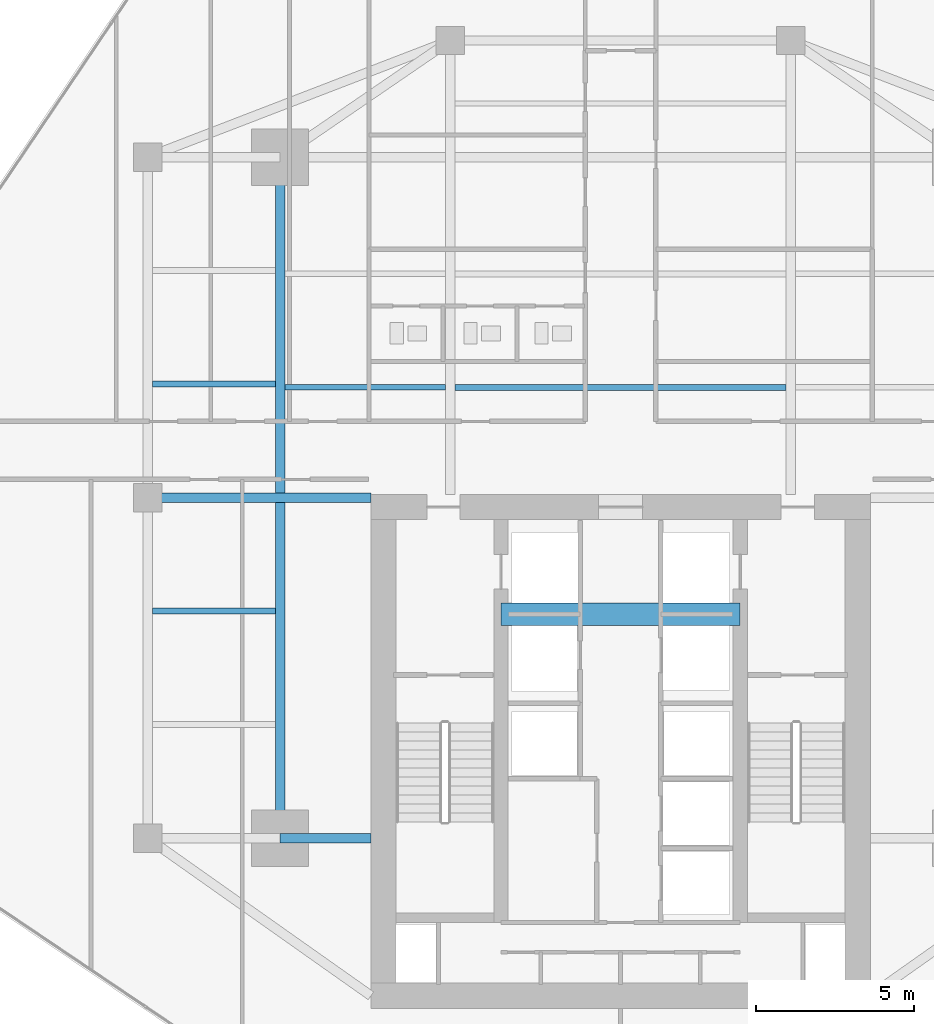
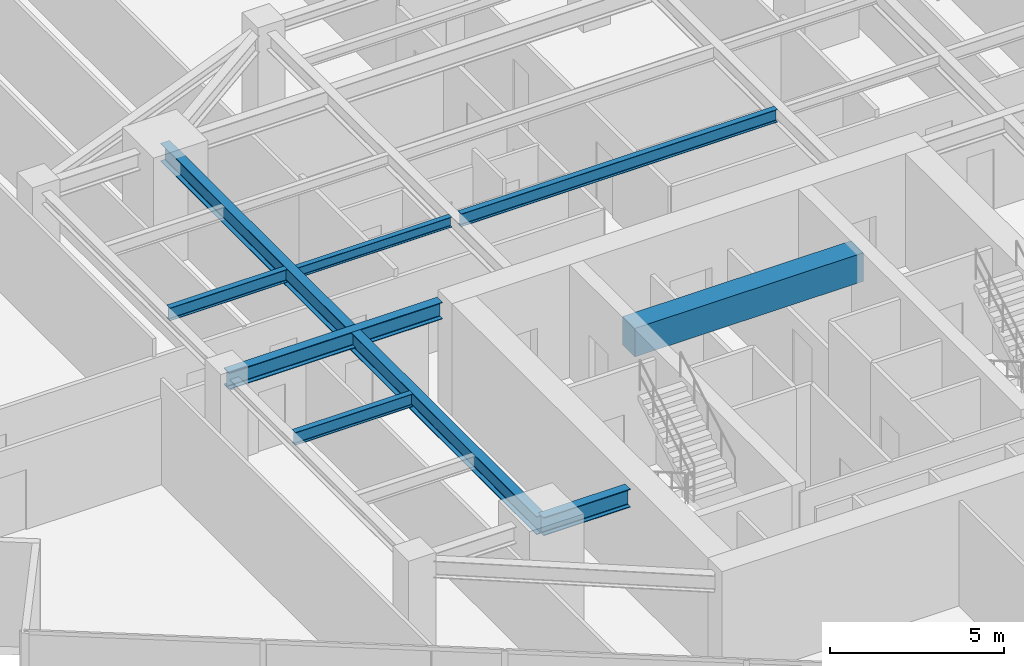
# One storey, part 8 of 27: 8 beams.
"""IFC4 building model written with IfcOpenShell, lengths in metres."""

from ifc_helpers import new_model, si_unit, direction, frame, origin, origin_2d, place, context, subcontext, project, spatial, rectangle, i_section, extrude, source, transform, mapped, material, material_profile, profile_set, type_object, type_shapes, element, save


model = new_model("IFC4")

# Units and contexts
model_context = context("Model", 3, precision=1e-05, world=origin(), true_north=direction((0.0, 1.0)))
body_context = subcontext(model_context, "Body", "Model", "MODEL_VIEW")
ifc_project = project(units=[si_unit("LENGTHUNIT", "METRE"), si_unit("AREAUNIT", "SQUARE_METRE"), si_unit("VOLUMEUNIT", "CUBIC_METRE"), si_unit("PLANEANGLEUNIT", "RADIAN"), si_unit("MASSUNIT", "GRAM", prefix="KILO")], contexts=[model_context])

# Site, building, storey
site_placement = place(None, origin())
site = spatial("IfcSite", under=ifc_project, at=site_placement, CompositionType="ELEMENT")
building_placement = place(site_placement, origin())
building = spatial("IfcBuilding", under=site, at=building_placement, Name="Krantzveldt Concourse Tower", CompositionType="ELEMENT")
storey_placement = place(building_placement, frame((0.0, 0.0, 185.699951171875)))
storey = spatial("IfcBuildingStorey", under=building, at=storey_placement, Name="L45", CompositionType="ELEMENT", Elevation=185.699951171875)

# Beams
ifc_material_1 = material(Name="Steel S355JR", Category="steel")
ifc_material_profile_1 = material_profile(ifc_material_1, i_section(OverallWidth=0.300048828125, OverallDepth=0.639892578125, WebThickness=0.013427734375, FlangeThickness=0.02587890625, FilletRadius=0.027099609375, at=origin_2d()), Name="Steel S355JR", Category="steel")
ifc_profile_set_1 = profile_set([ifc_material_profile_1], Name="Steel S355JR - HEA 650")
beam_type_1 = type_object("IfcBeamType", Name="BM-B-HEA650", PredefinedType="BEAM", material=ifc_profile_set_1)
shared_shape_1 = source(origin(), body_context, "Body", "SweptSolid", [
    extrude(i_section(OverallWidth=0.300048828125, OverallDepth=0.639892578125, WebThickness=0.013427734375, FlangeThickness=0.02587890625, FilletRadius=0.027099609375, at=origin_2d()), origin(), (0.0, 0.0, 1.0), 21.60009765625),
])
beam_1_placement = place(storey_placement, frame((25.199951171875, 15.89990234375, 3.35009765625), z_axis=(0.0, 1.0, 0.0), x_axis=(-1.0, 0.0, 0.0)))
element("IfcBeam", 1, at=beam_1_placement, inside=storey, type_object=beam_type_1, Name="L45 Tower Girder BG-MW", PredefinedType="BEAM", context=body_context, shape_type="MappedRepresentation", body=[
    mapped(shared_shape_1, transform((0.0, 0.0, 0.0), x_axis=(1.0, 0.0, 0.0), y_axis=(0.0, 1.0, 0.0), z_axis=(0.0, 0.0, 1.0), scale=1.0)),
])
ifc_material_profile_2 = material_profile(ifc_material_1, i_section(OverallWidth=0.300048828125, OverallDepth=0.590087890625, WebThickness=0.012939453125, FlangeThickness=0.02490234375, FilletRadius=0.027099609375, at=origin_2d()), Name="Steel S355JR", Category="steel")
ifc_profile_set_2 = profile_set([ifc_material_profile_2], Name="Steel S355JR - HEA 600")
beam_type_2 = type_object("IfcBeamType", Name="BM-B-HEA600", PredefinedType="BEAM", material=ifc_profile_set_2)
shared_shape_2 = source(origin(), body_context, "Body", "SweptSolid", [
    extrude(i_section(OverallWidth=0.300048828125, OverallDepth=0.590087890625, WebThickness=0.012939453125, FlangeThickness=0.02490234375, FilletRadius=0.027099609375, at=origin_2d()), origin(), (0.0, 0.0, 1.0), 7.080078125),
])
type_shapes(beam_type_2, [shared_shape_2])
beam_2_placement = place(storey_placement, frame((21.0, 26.699951171875, 3.375), z_axis=(1.0, 0.0, 0.0), x_axis=(0.0, 1.0, 0.0)))
element("IfcBeam", 2, at=beam_2_placement, inside=storey, type_object=beam_type_2, Name="L45 Tower Girder BG-CW2", PredefinedType="BEAM", context=body_context, shape_type="MappedRepresentation", body=[
    mapped(shared_shape_2, transform((0.0, 0.0, 0.0), x_axis=(1.0, 0.0, 0.0), y_axis=(0.0, 1.0, 0.0), z_axis=(0.0, 0.0, 1.0), scale=1.0)),
])
ifc_material_profile_3 = material_profile(ifc_material_1, i_section(OverallWidth=0.18994140625, OverallDepth=0.449951171875, WebThickness=0.009521484375, FlangeThickness=0.0146484375, FilletRadius=0.02099609375, at=origin_2d()), Name="Steel S355JR", Category="steel")
ifc_profile_set_3 = profile_set([ifc_material_profile_3], Name="Steel S355JR - IPE 450")
beam_type_3 = type_object("IfcBeamType", Name="BM-J-IPE450", PredefinedType="JOIST", material=ifc_profile_set_3)
shared_shape_3 = source(origin(), body_context, "Body", "SweptSolid", [
    extrude(i_section(OverallWidth=0.18994140625, OverallDepth=0.449951171875, WebThickness=0.009521484375, FlangeThickness=0.0146484375, FilletRadius=0.02099609375, at=origin_2d()), origin(), (0.0, 0.0, 1.0), 10.5),
])
beam_3_placement = place(storey_placement, frame((30.75, 30.199951171875, 3.445068359375), z_axis=(1.0, 0.0, 0.0), x_axis=(0.0, 1.0, 0.0)))
element("IfcBeam", 3, at=beam_3_placement, inside=storey, type_object=beam_type_3, Name="L45 Secondary Floor Joist JN-C1", PredefinedType="JOIST", context=body_context, shape_type="MappedRepresentation", body=[
    mapped(shared_shape_3, transform((0.0, 0.0, 0.0), x_axis=(1.0, 0.0, 0.0), y_axis=(0.0, 1.0, 0.0), z_axis=(0.0, 0.0, 1.0), scale=1.0)),
])
ifc_material_2 = material(Name="Concrete C50/60", Category="concrete")
ifc_material_profile_4 = material_profile(ifc_material_2, rectangle(XDim=0.699951171875, YDim=1.0, at=origin_2d()), Name="Concrete C50/60", Category="concrete")
ifc_profile_set_4 = profile_set([ifc_material_profile_4], Name="Concrete C50/60 - RC-CB 700x1000")
beam_type_4 = type_object("IfcBeamType", Name="BM-CB-1000", PredefinedType="LINTEL", material=ifc_profile_set_4)
shared_shape_4 = source(origin(), body_context, "Body", "SweptSolid", [
    extrude(rectangle(XDim=0.699951171875, YDim=1.0, at=origin_2d()), origin(), (0.0, 0.0, 1.0), 7.580078125),
])
type_shapes(beam_type_4, [shared_shape_4])
beam_4_placement = place(storey_placement, frame((32.2099609375, 23.0, 3.170166015625), z_axis=(1.0, 0.0, 0.0), x_axis=(0.0, 1.0, 0.0)))
element("IfcBeam", 4, at=beam_4_placement, inside=storey, type_object=beam_type_4, Name="CB-L45-01", PredefinedType="LINTEL", context=body_context, shape_type="MappedRepresentation", body=[
    mapped(shared_shape_4, transform((0.0, 0.0, 0.0), x_axis=(1.0, 0.0, 0.0), y_axis=(0.0, 1.0, 0.0), z_axis=(0.0, 0.0, 1.0), scale=1.0)),
])
shared_shape_5 = source(origin(), body_context, "Body", "SweptSolid", [
    extrude(i_section(OverallWidth=0.300048828125, OverallDepth=0.639892578125, WebThickness=0.013427734375, FlangeThickness=0.02587890625, FilletRadius=0.027099609375, at=origin_2d()), origin(), (0.0, 0.0, 1.0), 2.880126953125),
])
type_shapes(beam_type_1, [shared_shape_1, shared_shape_5])
beam_5_placement = place(storey_placement, frame((25.199951171875, 15.89990234375, 3.35009765625), z_axis=(1.0, 0.0, 0.0), x_axis=(0.0, 1.0, 0.0)))
element("IfcBeam", 5, at=beam_5_placement, inside=storey, type_object=beam_type_1, Name="L45 Tower Girder BG-CW1", PredefinedType="BEAM", context=body_context, shape_type="MappedRepresentation", body=[
    mapped(shared_shape_5, transform((0.0, 0.0, 0.0), x_axis=(1.0, 0.0, 0.0), y_axis=(0.0, 1.0, 0.0), z_axis=(0.0, 0.0, 1.0), scale=1.0)),
])
ifc_material_profile_5 = material_profile(ifc_material_1, i_section(OverallWidth=0.169921875, OverallDepth=0.360107421875, WebThickness=0.008056640625, FlangeThickness=0.0126953125, FilletRadius=0.01806640625, at=origin_2d()), Name="Steel S355JR", Category="steel")
ifc_profile_set_5 = profile_set([ifc_material_profile_5], Name="Steel S355JR - IPE 360")
beam_type_5 = type_object("IfcBeamType", Name="BM-J-IPE360", PredefinedType="JOIST", material=ifc_profile_set_5)
shared_shape_6 = source(origin(), body_context, "Body", "SweptSolid", [
    extrude(i_section(OverallWidth=0.169921875, OverallDepth=0.360107421875, WebThickness=0.008056640625, FlangeThickness=0.0126953125, FilletRadius=0.01806640625, at=origin_2d()), origin(), (0.0, 0.0, 1.0), 5.099853515625),
])
type_shapes(beam_type_5, [shared_shape_6])
beam_6_placement = place(storey_placement, frame((25.35009765625, 30.199951171875, 3.489990234375), z_axis=(1.0, 0.0, 0.0), x_axis=(0.0, 1.0, 0.0)))
element("IfcBeam", 6, at=beam_6_placement, inside=storey, type_object=beam_type_5, Name="L45 Secondary Floor Joist JN-W1", PredefinedType="JOIST", context=body_context, shape_type="MappedRepresentation", body=[
    mapped(shared_shape_6, transform((0.0, 0.0, 0.0), x_axis=(1.0, 0.0, 0.0), y_axis=(0.0, 1.0, 0.0), z_axis=(0.0, 0.0, 1.0), scale=1.0)),
])
shared_shape_7 = source(origin(), body_context, "Body", "SweptSolid", [
    extrude(i_section(OverallWidth=0.18994140625, OverallDepth=0.449951171875, WebThickness=0.009521484375, FlangeThickness=0.0146484375, FilletRadius=0.02099609375, at=origin_2d()), origin(), (0.0, 0.0, 1.0), 3.900146484375),
])
type_shapes(beam_type_3, [shared_shape_3, shared_shape_7])
for number, where, z_axis, x_axis, name in (
    (7, (21.14990234375, 23.10009765625, 3.445068359375), (1.0, 0.0, 0.0), (0.0, 1.0, 0.0), "L45 Secondary Floor Joist JW-2"),
    (8, (21.14990234375, 30.300048828125, 3.445068359375), (1.0, 0.0, 0.0), (0.0, 1.0, 0.0), "L45 Secondary Floor Joist JW-3"),
):
    element("IfcBeam", number, at=place(storey_placement, frame(where, z_axis=z_axis, x_axis=x_axis)), inside=storey, type_object=beam_type_3, Name=name, PredefinedType="JOIST", context=body_context, shape_type="MappedRepresentation", body=[
        mapped(shared_shape_7, transform((0.0, 0.0, 0.0), x_axis=(1.0, 0.0, 0.0), y_axis=(0.0, 1.0, 0.0), z_axis=(0.0, 0.0, 1.0), scale=1.0)),
    ])

save(model, "model.ifc")
